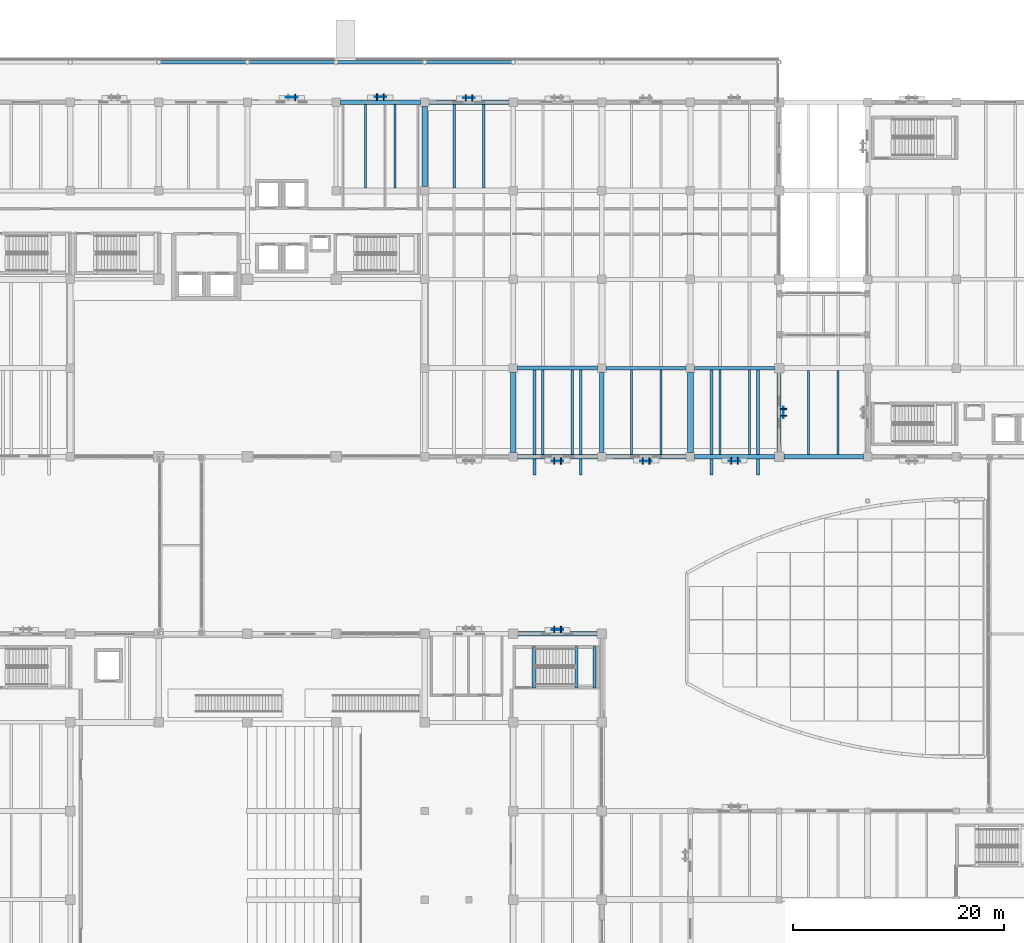
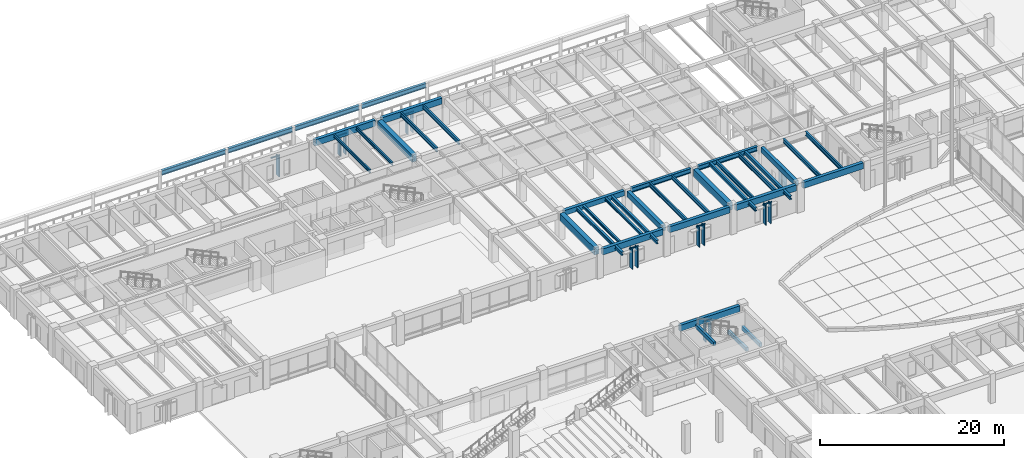
# One storey, part 42 of 135: 38 beams, 23 members, 8 elements without a shape of their own.
"""IFC4 building model written with IfcOpenShell, lengths in metres."""

from ifc_helpers import new_model, si_unit, direction, frame, origin, origin_2d, place, context, subcontext, project, spatial, rectangle, i_section, extrude, material, material_profile, profile_set, type_object, element, aggregate, save


model = new_model("IFC4")

# Units and contexts
model_context = context("Model", 3, precision=1e-05, world=origin(), true_north=direction((0.0, 1.0)))
body_context = subcontext(model_context, "Body", "Model", "MODEL_VIEW")
ifc_project = project(units=[si_unit("LENGTHUNIT", "METRE"), si_unit("AREAUNIT", "SQUARE_METRE"), si_unit("VOLUMEUNIT", "CUBIC_METRE"), si_unit("PLANEANGLEUNIT", "RADIAN"), si_unit("MASSUNIT", "GRAM", prefix="KILO")], contexts=[model_context])

# Site, building, storey
site_placement = place(None, origin())
site = spatial("IfcSite", under=ifc_project, at=site_placement, CompositionType="ELEMENT")
building_placement = place(site_placement, origin())
building = spatial("IfcBuilding", under=site, at=building_placement, Name="Cumbredor Promenade Congress Hotel", CompositionType="ELEMENT")
storey_placement = place(building_placement, origin())
storey = spatial("IfcBuildingStorey", under=building, at=storey_placement, Name="L00", CompositionType="ELEMENT", Elevation=0.0)

# Beams
ifc_material_1 = material(Name="Concrete C40/50", Category="concrete")
ifc_material_profile_1 = material_profile(ifc_material_1, rectangle(XDim=0.39990234375, YDim=0.64990234375, at=origin_2d()), Name="RC BEAM 400x650")
ifc_profile_set_1 = profile_set([ifc_material_profile_1], Name="Concrete C40/50")
beam_type_1 = type_object("IfcBeamType", Name="BM-RC-400x650", PredefinedType="BEAM", material=ifc_profile_set_1)
beam_1_placement = place(storey_placement, frame((59.199951171875, 92.39990234375, 3.31494140625), z_axis=(1.0, 0.0, 0.0), x_axis=(0.0, 1.0, 0.0)))
element("IfcBeam", 1, at=beam_1_placement, inside=storey, type_object=beam_type_1, Name="L01 X-Grid Beam 102", PredefinedType="BEAM", context=body_context, shape_type="SweptSolid", body=[
    extrude(rectangle(XDim=0.39990234375, YDim=0.64990234375, at=origin_2d()), origin(), (0.0, 0.0, 1.0), 7.60009765625),
])
beam_2_placement = place(storey_placement, frame((84.0, 84.449951171875, 3.31494140625), z_axis=(0.0, 1.0, 0.0), x_axis=(-1.0, 0.0, 0.0)))
element("IfcBeam", 2, at=beam_2_placement, inside=storey, type_object=beam_type_1, Name="L01 Y-Grid Beam 154", PredefinedType="BEAM", context=body_context, shape_type="SweptSolid", body=[
    extrude(rectangle(XDim=0.39990234375, YDim=0.64990234375, at=origin_2d()), origin(), (0.0, 0.0, 1.0), 7.5),
])
ifc_material_profile_2 = material_profile(ifc_material_1, rectangle(XDim=0.449951171875, YDim=0.75, at=origin_2d()), Name="RC BEAM 450x750")
ifc_profile_set_2 = profile_set([ifc_material_profile_2], Name="Concrete C40/50")
beam_type_2 = type_object("IfcBeamType", Name="BM-RC-450x750", PredefinedType="BEAM", material=ifc_profile_set_2)
beam_3_placement = place(storey_placement, frame((67.199951171875, 84.39990234375, 3.264892578125), z_axis=(0.0, 1.0, 0.0), x_axis=(-1.0, 0.0, 0.0)))
element("IfcBeam", 3, at=beam_3_placement, inside=storey, type_object=beam_type_2, Name="L01 Y-Grid Beam 123", PredefinedType="BEAM", context=body_context, shape_type="SweptSolid", body=[
    extrude(rectangle(XDim=0.449951171875, YDim=0.75, at=origin_2d()), origin(), (0.0, 0.0, 1.0), 7.60009765625),
])
ifc_material_profile_3 = material_profile(ifc_material_1, rectangle(XDim=0.550048828125, YDim=0.949951171875, at=origin_2d()), Name="RC BEAM 550x950")
ifc_profile_set_3 = profile_set([ifc_material_profile_3], Name="Concrete C40/50")
beam_type_3 = type_object("IfcBeamType", Name="BM-RC-550x950", PredefinedType="BEAM", material=ifc_profile_set_3)
beam_4_placement = place(storey_placement, frame((50.39990234375, 109.60009765625, 3.1650390625), z_axis=(0.0, 1.0, 0.0), x_axis=(-1.0, 0.0, 0.0)))
element("IfcBeam", 4, at=beam_4_placement, inside=storey, type_object=beam_type_3, Name="L01 Y-Grid Beam 085", PredefinedType="BEAM", context=body_context, shape_type="SweptSolid", body=[
    extrude(rectangle(XDim=0.550048828125, YDim=0.949951171875, at=origin_2d()), origin(), (0.0, 0.0, 1.0), 7.599853515625),
])
for number, where, z_axis, x_axis, name in (
    (5, (58.800048828125, 84.39990234375, 3.1650390625), (0.0, 1.0, 0.0), (-1.0, 0.0, 0.0), "L01 Y-Grid Beam 101"),
    (6, (75.60009765625, 84.39990234375, 3.1650390625), (0.0, 1.0, 0.0), (-1.0, 0.0, 0.0), "L01 Y-Grid Beam 141"),
):
    element("IfcBeam", number, at=place(storey_placement, frame(where, z_axis=z_axis, x_axis=x_axis)), inside=storey, type_object=beam_type_3, Name=name, PredefinedType="BEAM", context=body_context, shape_type="SweptSolid", body=[
        extrude(rectangle(XDim=0.550048828125, YDim=0.949951171875, at=origin_2d()), origin(), (0.0, 0.0, 1.0), 7.60009765625),
    ])
ifc_material_2 = material(Name="Steel ASTM A992 Grade 50", Category="steel")
ifc_material_profile_4 = material_profile(ifc_material_2, i_section(OverallWidth=0.323974609375, OverallDepth=0.611083984375, WebThickness=0.0126953125, FlangeThickness=0.01904296875, at=origin_2d()), Name="W24X104")
ifc_profile_set_4 = profile_set([ifc_material_profile_4], Name="Steel ASTM A992 Grade 50")
beam_type_4 = type_object("IfcBeamType", Name="BM-W24X104", PredefinedType="BEAM", material=ifc_profile_set_4)
beam_5_placement = place(storey_placement, frame((25.360107421875, 121.39990234375, 2.8798828125), z_axis=(1.0, 0.0, 0.0), x_axis=(0.0, 1.0, 0.0)))
element("IfcBeam", 7, at=beam_5_placement, inside=storey, type_object=beam_type_4, Name="North Portico Edge Beam 04", PredefinedType="BEAM", context=body_context, shape_type="SweptSolid", body=[
    extrude(i_section(OverallWidth=0.323974609375, OverallDepth=0.611083984375, WebThickness=0.0126953125, FlangeThickness=0.01904296875, at=origin_2d()), origin(), (0.0, 0.0, 1.0), 8.079833984375),
])
for number, where, z_axis, x_axis, name in (
    (8, (33.760009765625, 121.39990234375, 2.8798828125), (1.0, 0.0, 0.0), (0.0, 1.0, 0.0), "North Portico Edge Beam 05"),
    (9, (42.159912109375, 121.39990234375, 2.8798828125), (1.0, 0.0, 0.0), (0.0, 1.0, 0.0), "North Portico Edge Beam 06"),
):
    element("IfcBeam", number, at=place(storey_placement, frame(where, z_axis=z_axis, x_axis=x_axis)), inside=storey, type_object=beam_type_4, Name=name, PredefinedType="BEAM", context=body_context, shape_type="SweptSolid", body=[
        extrude(i_section(OverallWidth=0.323974609375, OverallDepth=0.611083984375, WebThickness=0.0126953125, FlangeThickness=0.01904296875, at=origin_2d()), origin(), (0.0, 0.0, 1.0), 8.080078125),
    ])
beam_6_placement = place(storey_placement, frame((50.56005859375, 121.39990234375, 2.8798828125), z_axis=(1.0, 0.0, 0.0), x_axis=(0.0, 1.0, 0.0)))
element("IfcBeam", 10, at=beam_6_placement, inside=storey, type_object=beam_type_4, Name="North Portico Edge Beam 07", PredefinedType="BEAM", context=body_context, shape_type="SweptSolid", body=[
    extrude(i_section(OverallWidth=0.323974609375, OverallDepth=0.611083984375, WebThickness=0.0126953125, FlangeThickness=0.01904296875, at=origin_2d()), origin(), (0.0, 0.0, 1.0), 8.079833984375),
])
beam_7_placement = place(storey_placement, frame((67.60009765625, 92.39990234375, 3.33447265625), z_axis=(1.0, 0.0, 0.0), x_axis=(0.0, 1.0, 0.0)))
element("IfcBeam", 11, at=beam_7_placement, inside=storey, type_object=beam_type_4, Name="L01 X-Grid Beam 124", PredefinedType="BEAM", context=body_context, shape_type="SweptSolid", body=[
    extrude(i_section(OverallWidth=0.323974609375, OverallDepth=0.611083984375, WebThickness=0.0126953125, FlangeThickness=0.01904296875, at=origin_2d()), origin(), (0.0, 0.0, 1.0), 7.599853515625),
])
beam_8_placement = place(storey_placement, frame((76.0, 92.39990234375, 3.33447265625), z_axis=(1.0, 0.0, 0.0), x_axis=(0.0, 1.0, 0.0)))
element("IfcBeam", 12, at=beam_8_placement, inside=storey, type_object=beam_type_4, Name="L01 X-Grid Beam 142", PredefinedType="BEAM", context=body_context, shape_type="SweptSolid", body=[
    extrude(i_section(OverallWidth=0.323974609375, OverallDepth=0.611083984375, WebThickness=0.0126953125, FlangeThickness=0.01904296875, at=origin_2d()), origin(), (0.0, 0.0, 1.0), 7.550048828125),
])

# Curtain wall, member
ifc_material_3 = material(Name="Thermally broken anodized aluminium and low-E glass", Category="aluminium")
curtain_wall_type = type_object("IfcCurtainWallType", Name="Solar Brise-Soleil Screen Assembly CW-07", PredefinedType="NOTDEFINED", material=ifc_material_3)
curtain_wall_1_placement = place(storey_placement, origin())
curtain_wall_1 = element("IfcCurtainWall", 13, at=curtain_wall_1_placement, inside=storey, type_object=curtain_wall_type, Name="L00 Pier Brise-Soleil Screen 0016", PredefinedType="NOTDEFINED")
ifc_material_4 = material(Name="Thermally broken anodized aluminium", Category="aluminium")
ifc_material_profile_5 = material_profile(ifc_material_4, rectangle(XDim=0.06494140625, YDim=0.1298828125, at=origin_2d()), Name="ALU TRANSOM 65x130")
ifc_profile_set_5 = profile_set([ifc_material_profile_5], Name="Thermally broken anodized aluminium")
member_type_1 = type_object("IfcMemberType", Name="Curtain Wall Transom TR-01", PredefinedType="USERDEFINED", material=ifc_profile_set_5)
member_1_placement = place(storey_placement, frame((62.449951171875, 67.590087890625, 2.6650390625), z_axis=(1.0, 0.0, 0.0), x_axis=(0.0, 1.0, 0.0)))
member_1 = element("IfcMember", 14, at=member_1_placement, type_object=member_type_1, Name="L00 Pier Brise-Soleil Header 0018", ObjectType="TRANSOM", PredefinedType="USERDEFINED", context=body_context, shape_type="SweptSolid", body=[
    extrude(rectangle(XDim=0.06494140625, YDim=0.1298828125, at=origin_2d()), origin(), (0.0, 0.0, 1.0), 1.10009765625),
])

curtain_wall_2_placement = place(storey_placement, origin())
curtain_wall_2 = element("IfcCurtainWall", 15, at=curtain_wall_2_placement, inside=storey, type_object=curtain_wall_type, Name="L00 Pier Brise-Soleil Screen 0100", PredefinedType="NOTDEFINED")
member_2_placement = place(storey_placement, frame((62.449951171875, 83.60009765625, 2.6650390625), z_axis=(1.0, 0.0, 0.0), x_axis=(0.0, 1.0, 0.0)))
member_2 = element("IfcMember", 16, at=member_2_placement, type_object=member_type_1, Name="L00 Pier Brise-Soleil Header 0102", ObjectType="TRANSOM", PredefinedType="USERDEFINED", context=body_context, shape_type="SweptSolid", body=[
    extrude(rectangle(XDim=0.06494140625, YDim=0.1298828125, at=origin_2d()), origin(), (0.0, 0.0, 1.0), 1.10009765625),
])

curtain_wall_3_placement = place(storey_placement, origin())
curtain_wall_3 = element("IfcCurtainWall", 17, at=curtain_wall_3_placement, inside=storey, type_object=curtain_wall_type, Name="L00 Pier Brise-Soleil Screen 0103", PredefinedType="NOTDEFINED")
member_3_placement = place(storey_placement, frame((70.85009765625, 83.590087890625, 2.6650390625), z_axis=(1.0, 0.0, 0.0), x_axis=(0.0, 1.0, 0.0)))
member_3 = element("IfcMember", 18, at=member_3_placement, type_object=member_type_1, Name="L00 Pier Brise-Soleil Header 0105", ObjectType="TRANSOM", PredefinedType="USERDEFINED", context=body_context, shape_type="SweptSolid", body=[
    extrude(rectangle(XDim=0.06494140625, YDim=0.1298828125, at=origin_2d()), origin(), (0.0, 0.0, 1.0), 1.099853515625),
])

curtain_wall_4_placement = place(storey_placement, origin())
curtain_wall_4 = element("IfcCurtainWall", 19, at=curtain_wall_4_placement, inside=storey, type_object=curtain_wall_type, Name="L00 Pier Brise-Soleil Screen 0106", PredefinedType="NOTDEFINED")
member_4_placement = place(storey_placement, frame((79.22509765625, 83.577392578125, 2.6650390625), z_axis=(1.0, 0.0, 0.0), x_axis=(0.0, 1.0, 0.0)))
member_4 = element("IfcMember", 20, at=member_4_placement, type_object=member_type_1, Name="L00 Pier Brise-Soleil Header 0108", ObjectType="TRANSOM", PredefinedType="USERDEFINED", context=body_context, shape_type="SweptSolid", body=[
    extrude(rectangle(XDim=0.06494140625, YDim=0.1298828125, at=origin_2d()), origin(), (0.0, 0.0, 1.0), 1.099853515625),
])

curtain_wall_5_placement = place(storey_placement, origin())
curtain_wall_5 = element("IfcCurtainWall", 21, at=curtain_wall_5_placement, inside=storey, type_object=curtain_wall_type, Name="L00 Pier Brise-Soleil Screen 0115", PredefinedType="NOTDEFINED")
member_5_placement = place(storey_placement, frame((37.25, 118.072509765625, 2.6650390625), z_axis=(1.0, 0.0, 0.0), x_axis=(0.0, 1.0, 0.0)))
member_5 = element("IfcMember", 22, at=member_5_placement, type_object=member_type_1, Name="L00 Pier Brise-Soleil Header 0117", ObjectType="TRANSOM", PredefinedType="USERDEFINED", context=body_context, shape_type="SweptSolid", body=[
    extrude(rectangle(XDim=0.06494140625, YDim=0.1298828125, at=origin_2d()), origin(), (0.0, 0.0, 1.0), 1.10009765625),
])

curtain_wall_6_placement = place(storey_placement, origin())
curtain_wall_6 = element("IfcCurtainWall", 23, at=curtain_wall_6_placement, inside=storey, type_object=curtain_wall_type, Name="L00 Pier Brise-Soleil Screen 0118", PredefinedType="NOTDEFINED")
member_6_placement = place(storey_placement, frame((45.64990234375, 118.0849609375, 2.6650390625), z_axis=(1.0, 0.0, 0.0), x_axis=(0.0, 1.0, 0.0)))
member_6 = element("IfcMember", 24, at=member_6_placement, type_object=member_type_1, Name="L00 Pier Brise-Soleil Header 0120", ObjectType="TRANSOM", PredefinedType="USERDEFINED", context=body_context, shape_type="SweptSolid", body=[
    extrude(rectangle(XDim=0.06494140625, YDim=0.1298828125, at=origin_2d()), origin(), (0.0, 0.0, 1.0), 1.10009765625),
])

curtain_wall_7_placement = place(storey_placement, origin())
curtain_wall_7 = element("IfcCurtainWall", 25, at=curtain_wall_7_placement, inside=storey, type_object=curtain_wall_type, Name="L00 Pier Brise-Soleil Screen 0121", PredefinedType="NOTDEFINED")
member_7_placement = place(storey_placement, frame((54.050048828125, 117.989990234375, 2.6650390625), z_axis=(1.0, 0.0, 0.0), x_axis=(0.0, 1.0, 0.0)))
member_7 = element("IfcMember", 26, at=member_7_placement, type_object=member_type_1, Name="L00 Pier Brise-Soleil Header 0123", ObjectType="TRANSOM", PredefinedType="USERDEFINED", context=body_context, shape_type="SweptSolid", body=[
    extrude(rectangle(XDim=0.06494140625, YDim=0.1298828125, at=origin_2d()), origin(), (0.0, 0.0, 1.0), 1.099853515625),
])

curtain_wall_8_placement = place(storey_placement, origin())
curtain_wall_8 = element("IfcCurtainWall", 27, at=curtain_wall_8_placement, inside=storey, type_object=curtain_wall_type, Name="L00 Pier Brise-Soleil Screen 0139", PredefinedType="NOTDEFINED")
member_8_placement = place(storey_placement, frame((84.409912109375, 87.64990234375, 2.81494140625), z_axis=(0.0, 1.0, 0.0), x_axis=(-1.0, 0.0, 0.0)))
member_8 = element("IfcMember", 28, at=member_8_placement, type_object=member_type_1, Name="L00 Pier Brise-Soleil Header 0141", ObjectType="TRANSOM", PredefinedType="USERDEFINED", context=body_context, shape_type="SweptSolid", body=[
    extrude(rectangle(XDim=0.06494140625, YDim=0.1298828125, at=origin_2d()), origin(), (0.0, 0.0, 1.0), 1.10009765625),
])

# Beams
ifc_material_profile_6 = material_profile(ifc_material_2, i_section(OverallWidth=0.2548828125, OverallDepth=0.35693359375, WebThickness=0.010498046875, FlangeThickness=0.018310546875, at=origin_2d()), Name="W14X68")
ifc_profile_set_6 = profile_set([ifc_material_profile_6], Name="Steel ASTM A992 Grade 50")
beam_type_5 = type_object("IfcBeamType", Name="JST-W14X68", PredefinedType="JOIST", material=ifc_profile_set_6)
for number, where, z_axis, x_axis, name in (
    (29, (61.60009765625, 84.199951171875, 3.46142578125), (0.0, 1.0, 0.0), (-1.0, 0.0, 0.0), "L01 Secondary Floor Joist 0054"),
    (30, (64.39990234375, 84.199951171875, 3.46142578125), (0.0, 1.0, 0.0), (-1.0, 0.0, 0.0), "L01 Secondary Floor Joist 0055"),
):
    element("IfcBeam", number, at=place(storey_placement, frame(where, z_axis=z_axis, x_axis=x_axis)), inside=storey, type_object=beam_type_5, Name=name, PredefinedType="JOIST", context=body_context, shape_type="SweptSolid", body=[
        extrude(i_section(OverallWidth=0.2548828125, OverallDepth=0.35693359375, WebThickness=0.010498046875, FlangeThickness=0.018310546875, at=origin_2d()), origin(), (0.0, 0.0, 1.0), 8.0),
    ])
ifc_material_profile_7 = material_profile(ifc_material_2, i_section(OverallWidth=0.180908203125, OverallDepth=0.4169921875, WebThickness=0.010986328125, FlangeThickness=0.018310546875, at=origin_2d()), Name="W16X57")
ifc_profile_set_7 = profile_set([ifc_material_profile_7], Name="Steel ASTM A992 Grade 50")
beam_type_6 = type_object("IfcBeamType", Name="JST-W16X57", PredefinedType="JOIST", material=ifc_profile_set_7)
for number, where, z_axis, x_axis, name in (
    (31, (44.800048828125, 109.47509765625, 3.431396484375), (0.0, 1.0, 0.0), (-1.0, 0.0, 0.0), "L01 Secondary Floor Joist 0030"),
    (32, (47.60009765625, 109.47509765625, 3.431396484375), (0.0, 1.0, 0.0), (-1.0, 0.0, 0.0), "L01 Secondary Floor Joist 0031"),
):
    element("IfcBeam", number, at=place(storey_placement, frame(where, z_axis=z_axis, x_axis=x_axis)), inside=storey, type_object=beam_type_6, Name=name, PredefinedType="JOIST", context=body_context, shape_type="SweptSolid", body=[
        extrude(i_section(OverallWidth=0.180908203125, OverallDepth=0.4169921875, WebThickness=0.010986328125, FlangeThickness=0.018310546875, at=origin_2d()), origin(), (0.0, 0.0, 1.0), 7.9248046875),
    ])
ifc_material_profile_8 = material_profile(ifc_material_2, i_section(OverallWidth=0.280029296875, OverallDepth=0.462890625, WebThickness=0.0107421875, FlangeThickness=0.017333984375, at=origin_2d()), Name="W18X76")
ifc_profile_set_8 = profile_set([ifc_material_profile_8], Name="Steel ASTM A992 Grade 50")
beam_type_7 = type_object("IfcBeamType", Name="JST-W18X76", PredefinedType="JOIST", material=ifc_profile_set_8)
for number, where, z_axis, x_axis, name in (
    (33, (60.800048828125, 82.25, 3.408447265625), (0.0, 1.0, 0.0), (-1.0, 0.0, 0.0), "L01 Balcony Back-Spanned Outrigger Beam 002.1"),
    (34, (65.199951171875, 82.25, 3.408447265625), (0.0, 1.0, 0.0), (-1.0, 0.0, 0.0), "L01 Balcony Back-Spanned Outrigger Beam 002.2"),
    (35, (77.60009765625, 82.25, 3.408447265625), (0.0, 1.0, 0.0), (-1.0, 0.0, 0.0), "L01 Balcony Back-Spanned Outrigger Beam 003.1"),
    (36, (82.0, 82.25, 3.408447265625), (0.0, 1.0, 0.0), (-1.0, 0.0, 0.0), "L01 Balcony Back-Spanned Outrigger Beam 003.2"),
):
    element("IfcBeam", number, at=place(storey_placement, frame(where, z_axis=z_axis, x_axis=x_axis)), inside=storey, type_object=beam_type_7, Name=name, PredefinedType="JOIST", context=body_context, shape_type="SweptSolid", body=[
        extrude(i_section(OverallWidth=0.280029296875, OverallDepth=0.462890625, WebThickness=0.0107421875, FlangeThickness=0.017333984375, at=origin_2d()), origin(), (0.0, 0.0, 1.0), 10.14990234375),
    ])
ifc_material_profile_9 = material_profile(ifc_material_2, i_section(OverallWidth=0.214111328125, OverallDepth=0.549072265625, WebThickness=0.0146484375, FlangeThickness=0.023681640625, at=origin_2d()), Name="W21X93")
ifc_profile_set_9 = profile_set([ifc_material_profile_9], Name="Steel ASTM A992 Grade 50")
beam_type_8 = type_object("IfcBeamType", Name="JST-W21X93", PredefinedType="JOIST", material=ifc_profile_set_9)
for number, where, z_axis, x_axis, name in (
    (37, (53.199951171875, 109.449951171875, 3.365478515625), (0.0, 1.0, 0.0), (-1.0, 0.0, 0.0), "L01 Secondary Floor Joist 0042"),
    (38, (56.0, 109.449951171875, 3.365478515625), (0.0, 1.0, 0.0), (-1.0, 0.0, 0.0), "L01 Secondary Floor Joist 0043"),
):
    element("IfcBeam", number, at=place(storey_placement, frame(where, z_axis=z_axis, x_axis=x_axis)), inside=storey, type_object=beam_type_8, Name=name, PredefinedType="JOIST", context=body_context, shape_type="SweptSolid", body=[
        extrude(i_section(OverallWidth=0.214111328125, OverallDepth=0.549072265625, WebThickness=0.0146484375, FlangeThickness=0.023681640625, at=origin_2d()), origin(), (0.0, 0.0, 1.0), 7.949951171875),
    ])
for number, where, z_axis, x_axis, name in (
    (39, (70.0, 84.199951171875, 3.365478515625), (0.0, 1.0, 0.0), (-1.0, 0.0, 0.0), "L01 Secondary Floor Joist 0072"),
    (40, (72.800048828125, 84.199951171875, 3.365478515625), (0.0, 1.0, 0.0), (-1.0, 0.0, 0.0), "L01 Secondary Floor Joist 0073"),
    (41, (78.39990234375, 84.199951171875, 3.365478515625), (0.0, 1.0, 0.0), (-1.0, 0.0, 0.0), "L01 Secondary Floor Joist 0082"),
    (42, (81.199951171875, 84.199951171875, 3.365478515625), (0.0, 1.0, 0.0), (-1.0, 0.0, 0.0), "L01 Secondary Floor Joist 0083"),
):
    element("IfcBeam", number, at=place(storey_placement, frame(where, z_axis=z_axis, x_axis=x_axis)), inside=storey, type_object=beam_type_8, Name=name, PredefinedType="JOIST", context=body_context, shape_type="SweptSolid", body=[
        extrude(i_section(OverallWidth=0.214111328125, OverallDepth=0.549072265625, WebThickness=0.0146484375, FlangeThickness=0.023681640625, at=origin_2d()), origin(), (0.0, 0.0, 1.0), 8.0380859375),
    ])
for number, where, z_axis, x_axis, name in (
    (43, (86.800048828125, 84.199951171875, 3.365478515625), (0.0, 1.0, 0.0), (-1.0, 0.0, 0.0), "L01 Secondary Floor Joist 0092"),
    (44, (89.60009765625, 84.199951171875, 3.365478515625), (0.0, 1.0, 0.0), (-1.0, 0.0, 0.0), "L01 Secondary Floor Joist 0093"),
):
    element("IfcBeam", number, at=place(storey_placement, frame(where, z_axis=z_axis, x_axis=x_axis)), inside=storey, type_object=beam_type_8, Name=name, PredefinedType="JOIST", context=body_context, shape_type="SweptSolid", body=[
        extrude(i_section(OverallWidth=0.214111328125, OverallDepth=0.549072265625, WebThickness=0.0146484375, FlangeThickness=0.023681640625, at=origin_2d()), origin(), (0.0, 0.0, 1.0), 7.97509765625),
    ])
ifc_material_profile_10 = material_profile(ifc_material_1, rectangle(XDim=0.300048828125, YDim=0.5, at=origin_2d()), Name="RC LINTEL 300x500")
ifc_profile_set_10 = profile_set([ifc_material_profile_10], Name="Concrete C40/50")
beam_type_9 = type_object("IfcBeamType", Name="LN-RC-300x500", PredefinedType="LINTEL", material=ifc_profile_set_10)
for number, where, z_axis, x_axis, name in (
    (45, (66.5, 62.050048828125, 1.510009765625), (0.0, 1.0, 0.0), (-1.0, 0.0, 0.0), "L00 Stair ST-07 Landing Ledger Beam E"),
    (46, (64.800048828125, 62.050048828125, 1.510009765625), (0.0, 1.0, 0.0), (-1.0, 0.0, 0.0), "L00 Stair ST-07 Landing Ledger Beam W"),
    (47, (60.75, 62.050048828125, 3.669921875), (0.0, 1.0, 0.0), (-1.0, 0.0, 0.0), "L01 Stair ST-07 Well Header Trimmer Beam"),
):
    element("IfcBeam", number, at=place(storey_placement, frame(where, z_axis=z_axis, x_axis=x_axis)), inside=storey, type_object=beam_type_9, Name=name, PredefinedType="LINTEL", context=body_context, shape_type="SweptSolid", body=[
        extrude(rectangle(XDim=0.300048828125, YDim=0.5, at=origin_2d()), origin(), (0.0, 0.0, 1.0), 3.949951171875),
    ])
ifc_material_profile_11 = material_profile(ifc_material_1, rectangle(XDim=0.39990234375, YDim=0.800048828125, at=origin_2d()), Name="RC SPANDREL 400x800")
ifc_profile_set_11 = profile_set([ifc_material_profile_11], Name="Concrete C40/50")
beam_type_10 = type_object("IfcBeamType", Name="SP-RC-400x800", PredefinedType="SPANDREL", material=ifc_profile_set_11)
beam_9_placement = place(storey_placement, frame((42.39990234375, 117.60009765625, 3.239990234375), z_axis=(1.0, 0.0, 0.0), x_axis=(0.0, 1.0, 0.0)))
element("IfcBeam", 48, at=beam_9_placement, inside=storey, type_object=beam_type_10, Name="L01 X-Grid Beam 071", PredefinedType="SPANDREL", context=body_context, shape_type="SweptSolid", body=[
    extrude(rectangle(XDim=0.39990234375, YDim=0.800048828125, at=origin_2d()), origin(), (0.0, 0.0, 1.0), 7.60009765625),
])
beam_10_placement = place(storey_placement, frame((50.800048828125, 117.60009765625, 3.239990234375), z_axis=(1.0, 0.0, 0.0), x_axis=(0.0, 1.0, 0.0)))
element("IfcBeam", 49, at=beam_10_placement, inside=storey, type_object=beam_type_10, Name="L01 X-Grid Beam 086", PredefinedType="SPANDREL", context=body_context, shape_type="SweptSolid", body=[
    extrude(rectangle(XDim=0.39990234375, YDim=0.800048828125, at=origin_2d()), origin(), (0.0, 0.0, 1.0), 7.599853515625),
])
beam_11_placement = place(storey_placement, frame((59.25, 67.199951171875, 3.239990234375), z_axis=(1.0, 0.0, 0.0), x_axis=(0.0, 1.0, 0.0)))
element("IfcBeam", 50, at=beam_11_placement, inside=storey, type_object=beam_type_10, Name="L01 X-Grid Beam 099", PredefinedType="SPANDREL", context=body_context, shape_type="SweptSolid", body=[
    extrude(rectangle(XDim=0.39990234375, YDim=0.800048828125, at=origin_2d()), origin(), (0.0, 0.0, 1.0), 7.5),
])
beam_12_placement = place(storey_placement, frame((59.199951171875, 84.0, 3.239990234375), z_axis=(1.0, 0.0, 0.0), x_axis=(0.0, 1.0, 0.0)))
element("IfcBeam", 51, at=beam_12_placement, inside=storey, type_object=beam_type_10, Name="L01 X-Grid Beam 100", PredefinedType="SPANDREL", context=body_context, shape_type="SweptSolid", body=[
    extrude(rectangle(XDim=0.39990234375, YDim=0.800048828125, at=origin_2d()), origin(), (0.0, 0.0, 1.0), 7.60009765625),
])
beam_13_placement = place(storey_placement, frame((67.60009765625, 84.0, 3.239990234375), z_axis=(1.0, 0.0, 0.0), x_axis=(0.0, 1.0, 0.0)))
element("IfcBeam", 52, at=beam_13_placement, inside=storey, type_object=beam_type_10, Name="L01 X-Grid Beam 122", PredefinedType="SPANDREL", context=body_context, shape_type="SweptSolid", body=[
    extrude(rectangle(XDim=0.39990234375, YDim=0.800048828125, at=origin_2d()), origin(), (0.0, 0.0, 1.0), 7.599853515625),
])
for number, where, z_axis, x_axis, name in (
    (53, (76.0, 84.0, 3.239990234375), (1.0, 0.0, 0.0), (0.0, 1.0, 0.0), "L01 X-Grid Beam 140"),
    (54, (84.449951171875, 84.0, 3.239990234375), (1.0, 0.0, 0.0), (0.0, 1.0, 0.0), "L01 X-Grid Beam 153"),
):
    element("IfcBeam", number, at=place(storey_placement, frame(where, z_axis=z_axis, x_axis=x_axis)), inside=storey, type_object=beam_type_10, Name=name, PredefinedType="SPANDREL", context=body_context, shape_type="SweptSolid", body=[
        extrude(rectangle(XDim=0.39990234375, YDim=0.800048828125, at=origin_2d()), origin(), (0.0, 0.0, 1.0), 7.550048828125),
    ])

# Member
ifc_material_profile_12 = material_profile(ifc_material_4, rectangle(XDim=0.110107421875, YDim=0.6201171875, at=origin_2d()), Name="ARCH FIN 110x620")
ifc_profile_set_12 = profile_set([ifc_material_profile_12], Name="Thermally broken anodized aluminium")
member_type_2 = type_object("IfcMemberType", Name="Vertical Bronze Brise-Soleil Fin BSF-02 110x620", PredefinedType="USERDEFINED", material=ifc_profile_set_12)
member_9_placement = place(storey_placement, frame((62.679931640625, 67.590087890625, 0.02001953125), z_axis=(0.0, 0.0, 1.0), x_axis=(1.0, 0.0, 0.0)))
member_9 = element("IfcMember", 55, at=member_9_placement, type_object=member_type_2, Name="L00 Pier Brise-Soleil Fin 0017", ObjectType="SOLAR FIN", PredefinedType="USERDEFINED", context=body_context, shape_type="SweptSolid", body=[
    extrude(rectangle(XDim=0.110107421875, YDim=0.6201171875, at=origin_2d()), origin(), (0.0, 0.0, 1.0), 2.68505859375),
])

member_10_placement = place(storey_placement, frame((63.320068359375, 67.590087890625, 0.02001953125), z_axis=(0.0, 0.0, 1.0), x_axis=(1.0, 0.0, 0.0)))
member_10 = element("IfcMember", 56, at=member_10_placement, type_object=member_type_2, Name="L00 Pier Brise-Soleil Fin 0018", ObjectType="SOLAR FIN", PredefinedType="USERDEFINED", context=body_context, shape_type="SweptSolid", body=[
    extrude(rectangle(XDim=0.110107421875, YDim=0.6201171875, at=origin_2d()), origin(), (0.0, 0.0, 1.0), 2.68505859375),
])

aggregate(curtain_wall_1, [member_9, member_10, member_1])

member_11_placement = place(storey_placement, frame((62.679931640625, 83.60009765625, 0.02001953125), z_axis=(0.0, 0.0, 1.0), x_axis=(1.0, 0.0, 0.0)))
member_11 = element("IfcMember", 57, at=member_11_placement, type_object=member_type_2, Name="L00 Pier Brise-Soleil Fin 0101", ObjectType="SOLAR FIN", PredefinedType="USERDEFINED", context=body_context, shape_type="SweptSolid", body=[
    extrude(rectangle(XDim=0.110107421875, YDim=0.6201171875, at=origin_2d()), origin(), (0.0, 0.0, 1.0), 2.68505859375),
])

member_12_placement = place(storey_placement, frame((63.320068359375, 83.60009765625, 0.02001953125), z_axis=(0.0, 0.0, 1.0), x_axis=(1.0, 0.0, 0.0)))
member_12 = element("IfcMember", 58, at=member_12_placement, type_object=member_type_2, Name="L00 Pier Brise-Soleil Fin 0102", ObjectType="SOLAR FIN", PredefinedType="USERDEFINED", context=body_context, shape_type="SweptSolid", body=[
    extrude(rectangle(XDim=0.110107421875, YDim=0.6201171875, at=origin_2d()), origin(), (0.0, 0.0, 1.0), 2.68505859375),
])

aggregate(curtain_wall_2, [member_11, member_12, member_2])

member_13_placement = place(storey_placement, frame((71.080078125, 83.590087890625, 0.02001953125), z_axis=(0.0, 0.0, 1.0), x_axis=(1.0, 0.0, 0.0)))
member_13 = element("IfcMember", 59, at=member_13_placement, type_object=member_type_2, Name="L00 Pier Brise-Soleil Fin 0104", ObjectType="SOLAR FIN", PredefinedType="USERDEFINED", context=body_context, shape_type="SweptSolid", body=[
    extrude(rectangle(XDim=0.110107421875, YDim=0.6201171875, at=origin_2d()), origin(), (0.0, 0.0, 1.0), 2.68505859375),
])

member_14_placement = place(storey_placement, frame((71.719970703125, 83.590087890625, 0.02001953125), z_axis=(0.0, 0.0, 1.0), x_axis=(1.0, 0.0, 0.0)))
member_14 = element("IfcMember", 60, at=member_14_placement, type_object=member_type_2, Name="L00 Pier Brise-Soleil Fin 0105", ObjectType="SOLAR FIN", PredefinedType="USERDEFINED", context=body_context, shape_type="SweptSolid", body=[
    extrude(rectangle(XDim=0.110107421875, YDim=0.6201171875, at=origin_2d()), origin(), (0.0, 0.0, 1.0), 2.68505859375),
])

aggregate(curtain_wall_3, [member_13, member_14, member_3])

member_15_placement = place(storey_placement, frame((79.455078125, 83.577392578125, 0.02001953125), z_axis=(0.0, 0.0, 1.0), x_axis=(1.0, 0.0, 0.0)))
member_15 = element("IfcMember", 61, at=member_15_placement, type_object=member_type_2, Name="L00 Pier Brise-Soleil Fin 0107", ObjectType="SOLAR FIN", PredefinedType="USERDEFINED", context=body_context, shape_type="SweptSolid", body=[
    extrude(rectangle(XDim=0.110107421875, YDim=0.6201171875, at=origin_2d()), origin(), (0.0, 0.0, 1.0), 2.68505859375),
])

member_16_placement = place(storey_placement, frame((80.094970703125, 83.577392578125, 0.02001953125), z_axis=(0.0, 0.0, 1.0), x_axis=(1.0, 0.0, 0.0)))
member_16 = element("IfcMember", 62, at=member_16_placement, type_object=member_type_2, Name="L00 Pier Brise-Soleil Fin 0108", ObjectType="SOLAR FIN", PredefinedType="USERDEFINED", context=body_context, shape_type="SweptSolid", body=[
    extrude(rectangle(XDim=0.110107421875, YDim=0.6201171875, at=origin_2d()), origin(), (0.0, 0.0, 1.0), 2.68505859375),
])

aggregate(curtain_wall_4, [member_15, member_16, member_4])

member_17_placement = place(storey_placement, frame((38.1201171875, 118.072509765625, 0.02001953125), z_axis=(0.0, 0.0, 1.0), x_axis=(1.0, 0.0, 0.0)))
member_17 = element("IfcMember", 63, at=member_17_placement, type_object=member_type_2, Name="L00 Pier Brise-Soleil Fin 0117", ObjectType="SOLAR FIN", PredefinedType="USERDEFINED", context=body_context, shape_type="SweptSolid", body=[
    extrude(rectangle(XDim=0.110107421875, YDim=0.6201171875, at=origin_2d()), origin(), (0.0, 0.0, 1.0), 2.68505859375),
])

aggregate(curtain_wall_5, [member_17, member_5])

member_18_placement = place(storey_placement, frame((45.8798828125, 118.0849609375, 0.02001953125), z_axis=(0.0, 0.0, 1.0), x_axis=(1.0, 0.0, 0.0)))
member_18 = element("IfcMember", 64, at=member_18_placement, type_object=member_type_2, Name="L00 Pier Brise-Soleil Fin 0119", ObjectType="SOLAR FIN", PredefinedType="USERDEFINED", context=body_context, shape_type="SweptSolid", body=[
    extrude(rectangle(XDim=0.110107421875, YDim=0.6201171875, at=origin_2d()), origin(), (0.0, 0.0, 1.0), 2.68505859375),
])

member_19_placement = place(storey_placement, frame((46.52001953125, 118.0849609375, 0.02001953125), z_axis=(0.0, 0.0, 1.0), x_axis=(1.0, 0.0, 0.0)))
member_19 = element("IfcMember", 65, at=member_19_placement, type_object=member_type_2, Name="L00 Pier Brise-Soleil Fin 0120", ObjectType="SOLAR FIN", PredefinedType="USERDEFINED", context=body_context, shape_type="SweptSolid", body=[
    extrude(rectangle(XDim=0.110107421875, YDim=0.6201171875, at=origin_2d()), origin(), (0.0, 0.0, 1.0), 2.68505859375),
])

aggregate(curtain_wall_6, [member_18, member_19, member_6])

member_20_placement = place(storey_placement, frame((54.280029296875, 117.989990234375, 0.02001953125), z_axis=(0.0, 0.0, 1.0), x_axis=(1.0, 0.0, 0.0)))
member_20 = element("IfcMember", 66, at=member_20_placement, type_object=member_type_2, Name="L00 Pier Brise-Soleil Fin 0122", ObjectType="SOLAR FIN", PredefinedType="USERDEFINED", context=body_context, shape_type="SweptSolid", body=[
    extrude(rectangle(XDim=0.110107421875, YDim=0.6201171875, at=origin_2d()), origin(), (0.0, 0.0, 1.0), 2.68505859375),
])

member_21_placement = place(storey_placement, frame((54.919921875, 117.989990234375, 0.02001953125), z_axis=(0.0, 0.0, 1.0), x_axis=(1.0, 0.0, 0.0)))
member_21 = element("IfcMember", 67, at=member_21_placement, type_object=member_type_2, Name="L00 Pier Brise-Soleil Fin 0123", ObjectType="SOLAR FIN", PredefinedType="USERDEFINED", context=body_context, shape_type="SweptSolid", body=[
    extrude(rectangle(XDim=0.110107421875, YDim=0.6201171875, at=origin_2d()), origin(), (0.0, 0.0, 1.0), 2.68505859375),
])

aggregate(curtain_wall_7, [member_20, member_21, member_7])

member_22_placement = place(storey_placement, frame((84.409912109375, 87.8798828125, 0.02001953125), z_axis=(0.0, 0.0, 1.0), x_axis=(0.0, 1.0, 0.0)))
member_22 = element("IfcMember", 68, at=member_22_placement, type_object=member_type_2, Name="L00 Pier Brise-Soleil Fin 0140", ObjectType="SOLAR FIN", PredefinedType="USERDEFINED", context=body_context, shape_type="SweptSolid", body=[
    extrude(rectangle(XDim=0.110107421875, YDim=0.6201171875, at=origin_2d()), origin(), (0.0, 0.0, 1.0), 2.8349609375),
])

member_23_placement = place(storey_placement, frame((84.409912109375, 88.52001953125, 0.02001953125), z_axis=(0.0, 0.0, 1.0), x_axis=(0.0, 1.0, 0.0)))
member_23 = element("IfcMember", 69, at=member_23_placement, type_object=member_type_2, Name="L00 Pier Brise-Soleil Fin 0141", ObjectType="SOLAR FIN", PredefinedType="USERDEFINED", context=body_context, shape_type="SweptSolid", body=[
    extrude(rectangle(XDim=0.110107421875, YDim=0.6201171875, at=origin_2d()), origin(), (0.0, 0.0, 1.0), 2.8349609375),
])

aggregate(curtain_wall_8, [member_22, member_23, member_8])

save(model, "model.ifc")
